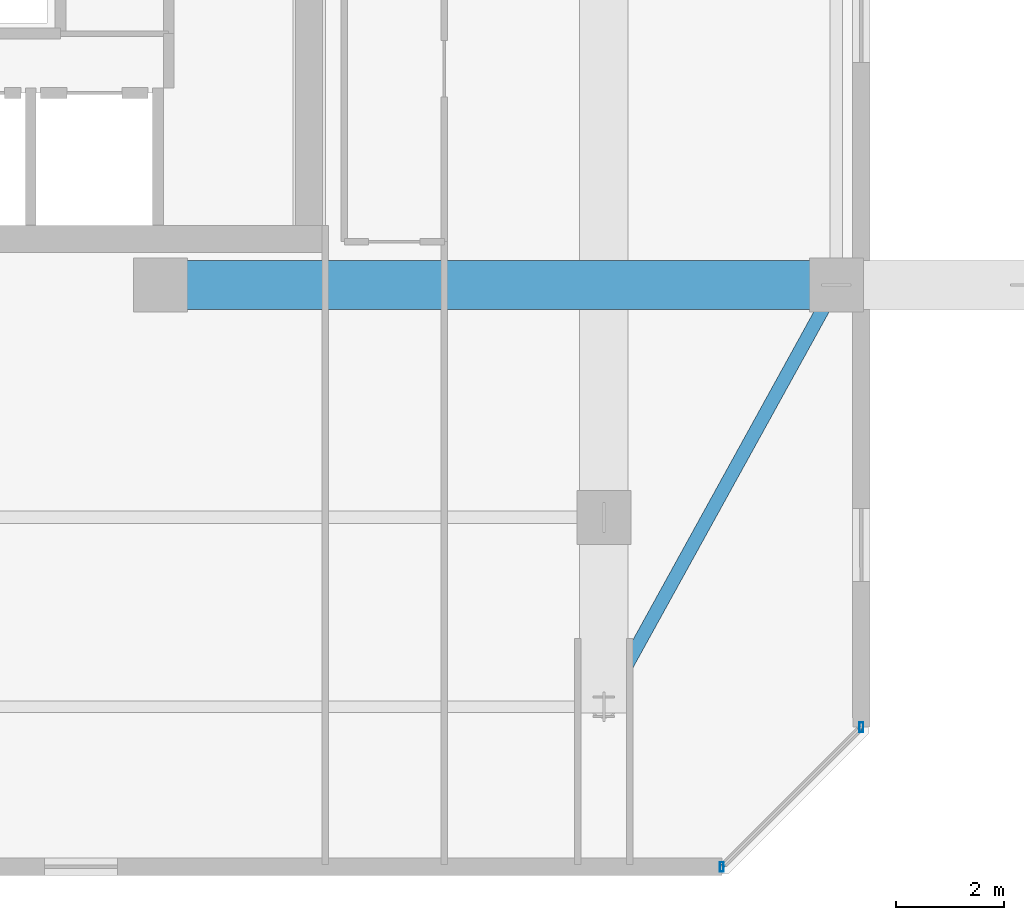
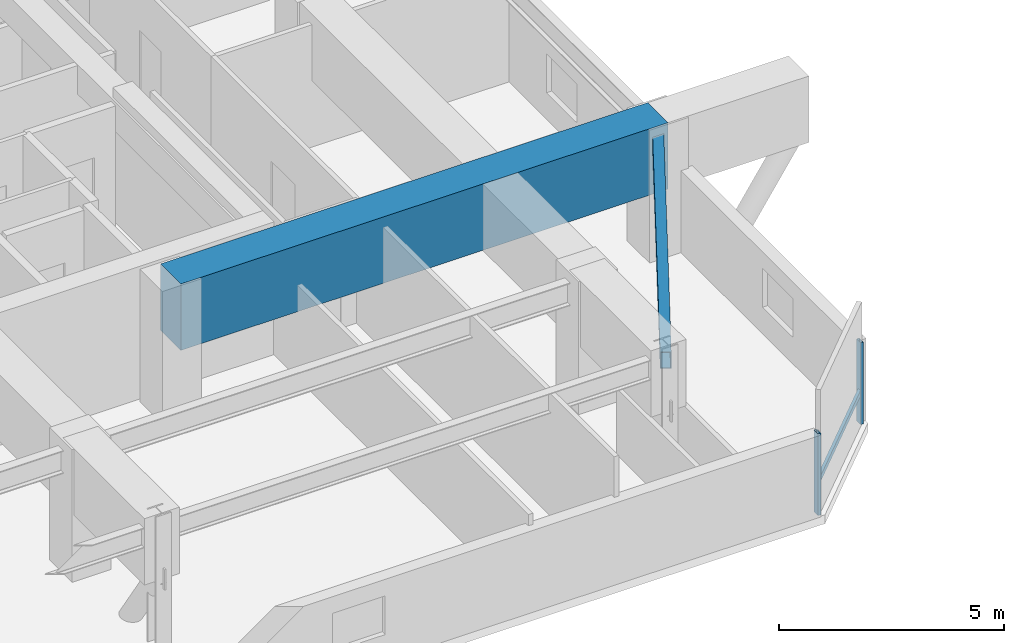
# One storey, part 5 of 34: 3 members, 2 beams, 1 element without a shape of its own.
"""IFC4 building model written with IfcOpenShell, lengths in metres."""

from ifc_helpers import new_model, si_unit, direction, frame, origin, origin_2d, place, context, subcontext, project, spatial, rectangle, hollow_rectangle, extrude, material, material_profile, profile_set, type_object, element, aggregate, save


model = new_model("IFC4")

# Units and contexts
model_context = context("Model", 3, precision=1e-05, world=origin(), true_north=direction((0.0, 1.0)))
body_context = subcontext(model_context, "Body", "Model", "MODEL_VIEW")
ifc_project = project(units=[si_unit("LENGTHUNIT", "METRE"), si_unit("AREAUNIT", "SQUARE_METRE"), si_unit("VOLUMEUNIT", "CUBIC_METRE"), si_unit("PLANEANGLEUNIT", "RADIAN"), si_unit("MASSUNIT", "GRAM", prefix="KILO")], contexts=[model_context])

# Site, building, storey
site_placement = place(None, origin())
site = spatial("IfcSite", under=ifc_project, at=site_placement, CompositionType="ELEMENT")
building_placement = place(site_placement, origin())
building = spatial("IfcBuilding", under=site, at=building_placement, Name="Thornwick Lancets Civic Towers", CompositionType="ELEMENT")
storey_placement = place(building_placement, frame((0.0, 0.0, 251.10009765625)))
storey = spatial("IfcBuildingStorey", under=building, at=storey_placement, Name="L67", CompositionType="ELEMENT", Elevation=251.10009765625)

# Beams
ifc_material_1 = material(Name="Steel S355JR", Category="steel")
ifc_material_profile_1 = material_profile(ifc_material_1, hollow_rectangle(XDim=0.25, YDim=0.449951171875, WallThickness=0.01611328125, at=origin_2d()), Name="RHS 450x250x16")
ifc_profile_set_1 = profile_set([ifc_material_profile_1], Name="Steel S355JR")
beam_type_1 = type_object("IfcBeamType", Name="BM_RING_RHS450", PredefinedType="BEAM", material=ifc_profile_set_1)
beam_1_placement = place(storey_placement, frame((38.5, 6.199951171875, 3.114990234375), z_axis=(0.482782395749, 0.875740348708, 0.0), x_axis=(-0.875740348708, 0.482782395749, 0.0)))
element("IfcBeam", 1, at=beam_1_placement, inside=storey, type_object=beam_type_1, Name="BM-CHAMF-L67-A-C0", PredefinedType="BEAM", context=body_context, shape_type="SweptSolid", body=[
    extrude(hollow_rectangle(XDim=0.25, YDim=0.449951171875, WallThickness=0.01611328125, at=origin_2d()), origin(), (0.0, 0.0, 1.0), 8.90673828125),
])
ifc_material_2 = material(Name="Concrete C60/75", Category="concrete")
ifc_material_profile_2 = material_profile(ifc_material_2, rectangle(XDim=0.89990234375, YDim=1.800048828125, at=origin_2d()), Name="RC 900x1800")
ifc_profile_set_2 = profile_set([ifc_material_profile_2], Name="Concrete C60/75")
beam_type_2 = type_object("IfcBeamType", Name="BM_TR_RC1800", PredefinedType="BEAM", material=ifc_profile_set_2)
beam_2_placement = place(storey_placement, frame((30.300048828125, 14.0, 2.699951171875), z_axis=(1.0, 0.0, 0.0), x_axis=(0.0, 1.0, 0.0)))
element("IfcBeam", 2, at=beam_2_placement, inside=storey, type_object=beam_type_2, Name="TG-BACK-L68-A04", PredefinedType="BEAM", context=body_context, shape_type="SweptSolid", body=[
    extrude(rectangle(XDim=0.89990234375, YDim=1.800048828125, at=origin_2d()), origin(), (0.0, 0.0, 1.0), 12.5),
])

# Curtain wall, members
ifc_material_3 = material(Name="High-zone chamfered-corner unitised glass curtain wall", Category="glass")
curtain_wall_type = type_object("IfcCurtainWallType", Name="CW_SYS_05", PredefinedType="NOTDEFINED", material=ifc_material_3)
curtain_wall_placement = place(storey_placement, origin())
curtain_wall = element("IfcCurtainWall", 3, at=curtain_wall_placement, inside=storey, type_object=curtain_wall_type, Name="L67 Curtain Wall CW-L67-A-E1", PredefinedType="NOTDEFINED")
ifc_material_4 = material(Name="Thermally broken bronze aluminium S355", Category="steel")
ifc_material_profile_3 = material_profile(ifc_material_4, hollow_rectangle(XDim=0.074951171875, YDim=0.179931640625, WallThickness=0.006103515625, at=origin_2d()), Name="RHS 180x75x6")
ifc_profile_set_3 = profile_set([ifc_material_profile_3], Name="Thermally broken bronze aluminium S355")
member_type_1 = type_object("IfcMemberType", Name="CW_MUL_180", PredefinedType="MULLION", material=ifc_profile_set_3)
member_1_placement = place(storey_placement, frame((40.681396484375, 3.2353515625, 0.0), z_axis=(0.0, 0.0, 1.0), x_axis=(1.0, 0.0, 0.0)))
member_1 = element("IfcMember", 4, at=member_1_placement, type_object=member_type_1, Name="CW-L67-A-E1 Mullion 0", PredefinedType="MULLION", context=body_context, shape_type="SweptSolid", body=[
    extrude(hollow_rectangle(XDim=0.074951171875, YDim=0.179931640625, WallThickness=0.006103515625, at=origin_2d()), origin(), (0.0, 0.0, 1.0), 2.219970703125),
])
member_2_placement = place(storey_placement, frame((43.2646484375, 5.818603515625, 0.0), z_axis=(0.0, 0.0, 1.0), x_axis=(1.0, 0.0, 0.0)))
member_2 = element("IfcMember", 5, at=member_2_placement, type_object=member_type_1, Name="CW-L67-A-E1 Mullion 1", PredefinedType="MULLION", context=body_context, shape_type="SweptSolid", body=[
    extrude(hollow_rectangle(XDim=0.074951171875, YDim=0.179931640625, WallThickness=0.006103515625, at=origin_2d()), origin(), (0.0, 0.0, 1.0), 2.219970703125),
])
ifc_material_profile_4 = material_profile(ifc_material_4, hollow_rectangle(XDim=0.074951171875, YDim=0.14990234375, WallThickness=0.0048828125, at=origin_2d()), Name="RHS 150x75x5")
ifc_profile_set_4 = profile_set([ifc_material_profile_4], Name="Thermally broken bronze aluminium S355")
member_type_2 = type_object("IfcMemberType", Name="CW_TRN_150", PredefinedType="USERDEFINED", material=ifc_profile_set_4)
member_3_placement = place(storey_placement, frame((40.695556640625, 3.24951171875, 0.849853515625), z_axis=(0.707106781187, 0.707106781187, 0.0), x_axis=(-0.707106781187, 0.707106781187, 0.0)))
member_3 = element("IfcMember", 6, at=member_3_placement, type_object=member_type_2, Name="CW-L67-A-E1 Transom 0", ObjectType="TRANSOM", PredefinedType="USERDEFINED", context=body_context, shape_type="SweptSolid", body=[
    extrude(hollow_rectangle(XDim=0.074951171875, YDim=0.14990234375, WallThickness=0.0048828125, at=origin_2d()), origin(), (0.0, 0.0, 1.0), 3.61328125),
])
aggregate(curtain_wall, [member_1, member_2, member_3])

save(model, "model.ifc")
